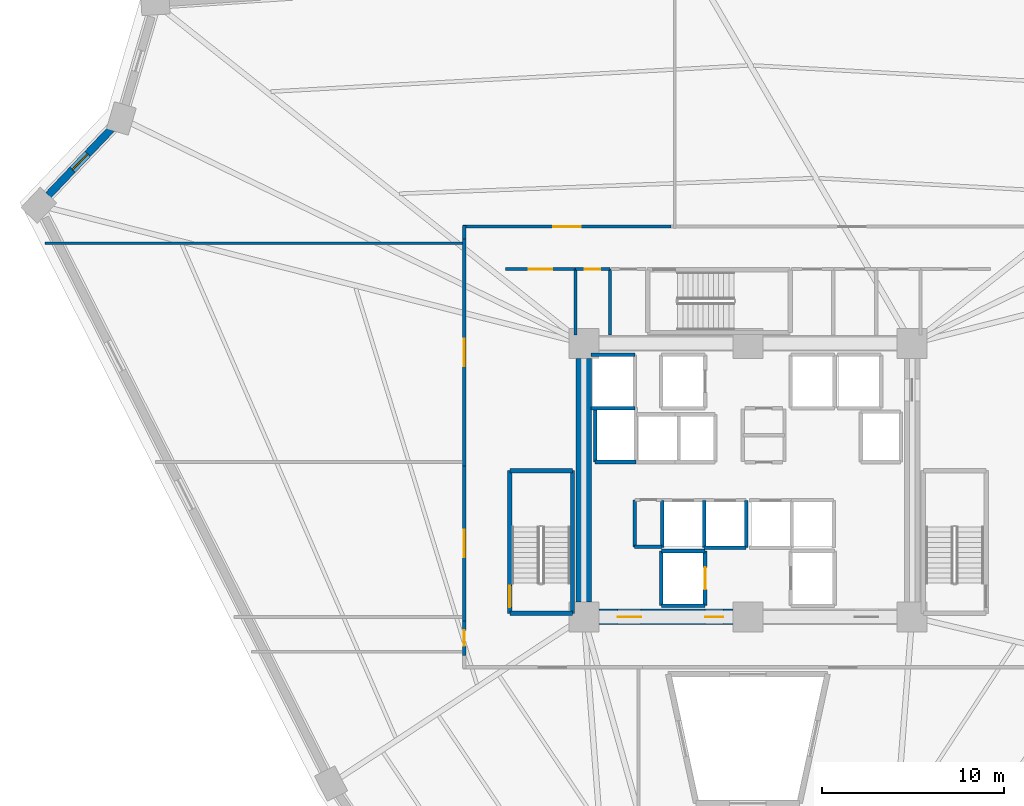
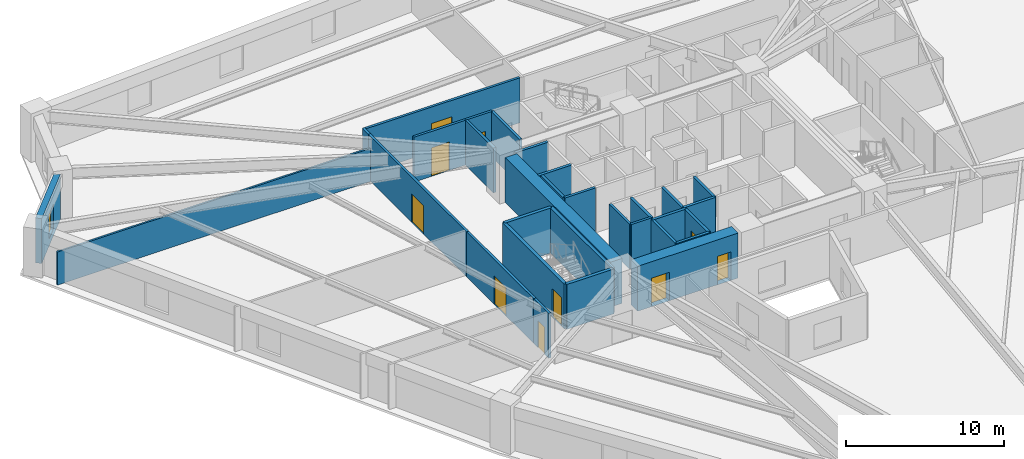
# One storey, part 4 of 8: 31 walls, 10 doors, 1 window, 11 openings.
"""IFC4 building model written with IfcOpenShell, lengths in metres."""

from ifc_helpers import new_model, si_unit, direction, frame, frame_2d, origin, place, context, subcontext, project, spatial, rectangle, extrude, source, transform, mapped, material, layer, layer_set, type_object, element, fill, save


model = new_model("IFC4")

# Units and contexts
model_context = context("Model", 3, precision=1e-05, world=origin(), true_north=direction((0.0, 1.0)))
body_context = subcontext(model_context, "Body", "Model", "MODEL_VIEW")
ifc_project = project(units=[si_unit("LENGTHUNIT", "METRE"), si_unit("AREAUNIT", "SQUARE_METRE"), si_unit("VOLUMEUNIT", "CUBIC_METRE"), si_unit("PLANEANGLEUNIT", "RADIAN"), si_unit("MASSUNIT", "GRAM", prefix="KILO")], contexts=[model_context])

# Site, building, storey
site_placement = place(None, origin())
site = spatial("IfcSite", under=ifc_project, at=site_placement, CompositionType="ELEMENT")
building_placement = place(site_placement, origin())
building = spatial("IfcBuilding", under=site, at=building_placement, Name="Liaohun Quay Tower", CompositionType="ELEMENT")
storey_placement = place(building_placement, frame((0.0, 0.0, 43.5)))
storey = spatial("IfcBuildingStorey", under=building, at=storey_placement, Name="L11", CompositionType="ELEMENT", Elevation=43.5)

# Wall, openings, doors
ifc_material_1 = material(Name="Concrete C60", Category="concrete")
ifc_layer_1 = layer(ifc_material_1, 0.85009765625, Name="Concrete C60", Category="concrete")
ifc_layer_set_1 = layer_set([ifc_layer_1], Name="Concrete C60")
wall_type_1 = type_object("IfcWallType", Name="WAL-COR-Z1", PredefinedType="SHEAR", material=ifc_layer_set_1)
wall_1_placement = place(storey_placement, frame((59.175048828125, 46.5, 0.0), z_axis=(0.0, 0.0, 1.0), x_axis=(-1.0, 0.0, 0.0)))
wall_1 = element("IfcWall", 1, at=wall_1_placement, inside=storey, type_object=wall_type_1, Name="L11 Central Core Shear Wall S-W", PredefinedType="SHEAR", context=body_context, shape_type="SweptSolid", body=[
    extrude(rectangle(XDim=7.35009765625, YDim=0.85009765625, at=frame_2d((3.675048828125, 0.0))), origin(), (0.0, 0.0, 1.0), 3.469970703125),
])
shared_shape_1 = source(origin(), body_context, "Body", "SweptSolid", [
    extrude(rectangle(XDim=1.300048828125, YDim=2.199951171875, at=frame_2d((0.64990234375, 1.10009765625))), frame((0.0, 0.43505859375, 0.0), z_axis=(0.0, -1.0, 0.0), x_axis=(1.0, 0.0, 0.0)), (0.0, 0.0, 1.0), 0.8701171875),
])
opening_1_placement = place(wall_1_placement, frame((5.02490234375, 0.0, 0.0)))
opening_1 = element("IfcOpeningElement", 2, at=opening_1_placement, cuts=wall_1, Name="Opening FD1", PredefinedType="OPENING", context=body_context, shape_type="MappedRepresentation", body=[
    mapped(shared_shape_1, transform((0.0, 0.0, 0.0), x_axis=(1.0, 0.0, 0.0), y_axis=(0.0, 1.0, 0.0), z_axis=(0.0, 0.0, 1.0), scale=1.0)),
])
shared_shape_2 = source(origin(), body_context, "Body", "SweptSolid", [
    extrude(rectangle(XDim=1.0, YDim=2.199951171875, at=frame_2d((0.5, 1.10009765625))), frame((0.0, 0.43505859375, 0.0), z_axis=(0.0, -1.0, 0.0), x_axis=(1.0, 0.0, 0.0)), (0.0, 0.0, 1.0), 0.8701171875),
])
opening_2_placement = place(wall_1_placement, frame((0.52490234375, 0.0, 0.0)))
opening_2 = element("IfcOpeningElement", 3, at=opening_2_placement, cuts=wall_1, Name="Opening FD2", PredefinedType="OPENING", context=body_context, shape_type="MappedRepresentation", body=[
    mapped(shared_shape_2, transform((0.0, 0.0, 0.0), x_axis=(1.0, 0.0, 0.0), y_axis=(0.0, 1.0, 0.0), z_axis=(0.0, 0.0, 1.0), scale=1.0)),
])
ifc_material_2 = material(Name="Galvanised steel smokeproof fire door", Category="steel")
door_type_1 = type_object("IfcDoorType", Name="DOR-FFL-1300", OperationType="NOTDEFINED", PredefinedType="DOOR", material=ifc_material_2)
shared_shape_3 = source(origin(), body_context, "Body", "SweptSolid", [
    extrude(rectangle(XDim=1.300048828125, YDim=2.199951171875, at=frame_2d((0.64990234375, 1.10009765625))), frame((0.0, 0.02490234375, 0.0), z_axis=(0.0, -1.0, 0.0), x_axis=(1.0, 0.0, 0.0)), (0.0, 0.0, 1.0), 0.050048828125),
])
door_1_placement = place(opening_1_placement, origin())
door_1 = element("IfcDoor", 4, at=door_1_placement, inside=storey, type_object=door_type_1, Name="L11 West Core Lift Lobby Smokeproof Door", OperationType="SINGLE_SWING_RIGHT", OverallHeight=2.199951171875, OverallWidth=1.300048828125, PredefinedType="DOOR", context=body_context, shape_type="MappedRepresentation", body=[
    mapped(shared_shape_3, transform((0.0, 0.0, 0.0), x_axis=(1.0, 0.0, 0.0), y_axis=(0.0, 1.0, 0.0), z_axis=(0.0, 0.0, 1.0), scale=1.0)),
])
fill(opening_1, door_1)
ifc_material_3 = material(Name="Galvanised steel smokeproof lobby fire door", Category="steel")
door_type_2 = type_object("IfcDoorType", Name="DOR-FFL-1000", OperationType="NOTDEFINED", PredefinedType="DOOR", material=ifc_material_3)
shared_shape_4 = source(origin(), body_context, "Body", "SweptSolid", [
    extrude(rectangle(XDim=1.0, YDim=2.199951171875, at=frame_2d((0.5, 1.10009765625))), frame((0.0, 0.02490234375, 0.0), z_axis=(0.0, -1.0, 0.0), x_axis=(1.0, 0.0, 0.0)), (0.0, 0.0, 1.0), 0.050048828125),
])
door_2_placement = place(opening_2_placement, origin())
door_2 = element("IfcDoor", 5, at=door_2_placement, inside=storey, type_object=door_type_2, Name="L11 South Firefighting Lobby Smokeproof Door", OperationType="SINGLE_SWING_LEFT", OverallHeight=2.199951171875, OverallWidth=1.0, PredefinedType="DOOR", context=body_context, shape_type="MappedRepresentation", body=[
    mapped(shared_shape_4, transform((0.0, 0.0, 0.0), x_axis=(1.0, 0.0, 0.0), y_axis=(0.0, 1.0, 0.0), z_axis=(0.0, 0.0, 1.0), scale=1.0)),
])
fill(opening_2, door_2)

# Wall
wall_2_placement = place(storey_placement, frame((51.0, 47.324951171875, 0.0), z_axis=(0.0, 0.0, 1.0), x_axis=(0.0, 1.0, 0.0)))
element("IfcWall", 6, at=wall_2_placement, inside=storey, type_object=wall_type_1, Name="L11 Central Core Shear Wall W", PredefinedType="SHEAR", context=body_context, shape_type="SweptSolid", body=[
    extrude(rectangle(XDim=13.35009765625, YDim=0.85009765625, at=frame_2d((6.675048828125, 0.0))), origin(), (0.0, 0.0, 1.0), 3.469970703125),
])

# Wall, opening, window
ifc_material_4 = material(Name="Precast concrete C50 insulated sandwich", Category="concrete")
ifc_layer_2 = layer(ifc_material_4, 0.419921875, Name="Precast concrete C50 insulated sandwich", Category="concrete")
ifc_layer_set_2 = layer_set([ifc_layer_2], Name="Precast concrete C50 insulated sandwich")
wall_type_2 = type_object("IfcWallType", Name="WAL-EXT-Z12", PredefinedType="SOLIDWALL", material=ifc_layer_set_2)
wall_3_placement = place(storey_placement, frame((25.113037109375, 73.283935546875, 0.0), z_axis=(0.0, 0.0, 1.0), x_axis=(-0.689357621712, -0.72442119612, 0.0)))
wall_3 = element("IfcWall", 7, at=wall_3_placement, inside=storey, type_object=wall_type_2, Name="L11 Brutalist Precast Pier Wall 09", PredefinedType="SOLIDWALL", context=body_context, shape_type="SweptSolid", body=[
    extrude(rectangle(XDim=5.041015625, YDim=0.419921875, at=frame_2d((2.5205078125, 0.0))), origin(), (0.0, 0.0, 1.0), 3.469970703125),
])
shared_shape_5 = source(origin(), body_context, "Body", "SweptSolid", [
    extrude(rectangle(XDim=1.199951171875, YDim=1.89990234375, at=frame_2d((0.60009765625, 0.949951171875))), frame((0.0, 0.219970703125, 0.0), z_axis=(0.0, -1.0, 0.0), x_axis=(1.0, 0.0, 0.0)), (0.0, 0.0, 1.0), 0.43994140625),
])
opening_3_placement = place(wall_3_placement, frame((1.9208984375, 0.0, 0.550048828125)))
opening_3 = element("IfcOpeningElement", 8, at=opening_3_placement, cuts=wall_3, Name="Opening W05", PredefinedType="OPENING", context=body_context, shape_type="MappedRepresentation", body=[
    mapped(shared_shape_5, transform((0.0, 0.0, 0.0), x_axis=(1.0, 0.0, 0.0), y_axis=(0.0, 1.0, 0.0), z_axis=(0.0, 0.0, 1.0), scale=1.0)),
])
ifc_material_5 = material(Name="Triple Low-E corner notch glazing", Category="glass")
window_type = type_object("IfcWindowType", Name="WIN-NOTCH", PartitioningType="SINGLE_PANEL", PredefinedType="WINDOW", material=ifc_material_5)
shared_shape_6 = source(origin(), body_context, "Body", "SweptSolid", [
    extrude(rectangle(XDim=1.199951171875, YDim=1.89990234375, at=frame_2d((0.60009765625, 0.949951171875))), frame((0.0, 0.030029296875, 0.0), z_axis=(0.0, -1.0, 0.0), x_axis=(1.0, 0.0, 0.0)), (0.0, 0.0, 1.0), 0.06005859375),
])
window_placement = place(opening_3_placement, origin())
window = element("IfcWindow", 9, at=window_placement, inside=storey, type_object=window_type, Name="L11 Corner Notch Window W05-09", OverallHeight=1.89990234375, OverallWidth=1.199951171875, PartitioningType="SINGLE_PANEL", PredefinedType="WINDOW", context=body_context, shape_type="MappedRepresentation", body=[
    mapped(shared_shape_6, transform((0.0, 0.0, 0.0), x_axis=(1.0, 0.0, 0.0), y_axis=(0.0, 1.0, 0.0), z_axis=(0.0, 0.0, 1.0), scale=1.0)),
])
fill(opening_3, window)

# Wall, opening, door
ifc_material_6 = material(Name="Autoclaved aerated concrete blockwork", Category="masonry")
ifc_layer_3 = layer(ifc_material_6, 0.179931640625, Name="Autoclaved aerated concrete blockwork", Category="masonry")
ifc_layer_set_3 = layer_set([ifc_layer_3], Name="Autoclaved aerated concrete blockwork")
wall_type_3 = type_object("IfcWallType", Name="WAL-PRT-COR", PredefinedType="PARTITIONING", material=ifc_layer_set_3)
wall_4_placement = place(storey_placement, frame((50.5400390625, 65.580078125, 0.0), z_axis=(0.0, 0.0, 1.0), x_axis=(1.0, 0.0, 0.0)))
wall_4 = element("IfcWall", 10, at=wall_4_placement, inside=storey, type_object=wall_type_3, Name="L11 Interior Partition Wall 007", PredefinedType="PARTITIONING", context=body_context, shape_type="SweptSolid", body=[
    extrude(rectangle(XDim=1.89990234375, YDim=0.179931640625, at=frame_2d((0.949951171875, 0.0))), origin(), (0.0, 0.0, 1.0), 3.469970703125),
])
shared_shape_7 = source(origin(), body_context, "Body", "SweptSolid", [
    extrude(rectangle(XDim=0.85009765625, YDim=2.10009765625, at=frame_2d((0.425048828125, 1.050048828125))), frame((0.0, 0.099853515625, 0.0), z_axis=(0.0, -1.0, 0.0), x_axis=(1.0, 0.0, 0.0)), (0.0, 0.0, 1.0), 0.199951171875),
])
opening_4_placement = place(wall_4_placement, frame((0.52490234375, 0.0, 0.0)))
opening_4 = element("IfcOpeningElement", 11, at=opening_4_placement, cuts=wall_4, Name="Opening AD1", PredefinedType="OPENING", context=body_context, shape_type="MappedRepresentation", body=[
    mapped(shared_shape_7, transform((0.0, 0.0, 0.0), x_axis=(1.0, 0.0, 0.0), y_axis=(0.0, 1.0, 0.0), z_axis=(0.0, 0.0, 1.0), scale=1.0)),
])
ifc_material_7 = material(Name="Steel riser inspection fire door", Category="steel")
door_type_3 = type_object("IfcDoorType", Name="DOR-SHF-850", OperationType="NOTDEFINED", PredefinedType="DOOR", material=ifc_material_7)
shared_shape_8 = source(origin(), body_context, "Body", "SweptSolid", [
    extrude(rectangle(XDim=0.85009765625, YDim=2.10009765625, at=frame_2d((0.425048828125, 1.050048828125))), frame((0.0, 0.02490234375, 0.0), z_axis=(0.0, -1.0, 0.0), x_axis=(1.0, 0.0, 0.0)), (0.0, 0.0, 1.0), 0.050048828125),
])
door_3_placement = place(opening_4_placement, origin())
door_3 = element("IfcDoor", 12, at=door_3_placement, inside=storey, type_object=door_type_3, Name="L11 North-West Riser Closet Door", OperationType="SINGLE_SWING_RIGHT", OverallHeight=2.10009765625, OverallWidth=0.85009765625, PredefinedType="DOOR", context=body_context, shape_type="MappedRepresentation", body=[
    mapped(shared_shape_8, transform((0.0, 0.0, 0.0), x_axis=(1.0, 0.0, 0.0), y_axis=(0.0, 1.0, 0.0), z_axis=(0.0, 0.0, 1.0), scale=1.0)),
])
fill(opening_4, door_3)

wall_5_placement = place(storey_placement, frame((46.699951171875, 65.580078125, 0.0), z_axis=(0.0, 0.0, 1.0), x_axis=(1.0, 0.0, 0.0)))
wall_5 = element("IfcWall", 13, at=wall_5_placement, inside=storey, type_object=wall_type_3, Name="L11 Interior Partition Wall 012", PredefinedType="PARTITIONING", context=body_context, shape_type="SweptSolid", body=[
    extrude(rectangle(XDim=3.840087890625, YDim=0.179931640625, at=frame_2d((1.919921875, 0.0))), origin(), (0.0, 0.0, 1.0), 3.469970703125),
])
shared_shape_9 = source(origin(), body_context, "Body", "SweptSolid", [
    extrude(rectangle(XDim=1.300048828125, YDim=2.199951171875, at=frame_2d((0.64990234375, 1.10009765625))), frame((0.0, 0.099853515625, 0.0), z_axis=(0.0, -1.0, 0.0), x_axis=(1.0, 0.0, 0.0)), (0.0, 0.0, 1.0), 0.199951171875),
])
opening_5_placement = place(wall_5_placement, frame((1.27001953125, 0.0, 0.0)))
opening_5 = element("IfcOpeningElement", 14, at=opening_5_placement, cuts=wall_5, Name="Opening FD1", PredefinedType="OPENING", context=body_context, shape_type="MappedRepresentation", body=[
    mapped(shared_shape_9, transform((0.0, 0.0, 0.0), x_axis=(1.0, 0.0, 0.0), y_axis=(0.0, 1.0, 0.0), z_axis=(0.0, 0.0, 1.0), scale=1.0)),
])
door_4_placement = place(opening_5_placement, origin())
door_4 = element("IfcDoor", 15, at=door_4_placement, inside=storey, type_object=door_type_1, Name="L11 West Core Vestibule Door", OperationType="SINGLE_SWING_LEFT", OverallHeight=2.199951171875, OverallWidth=1.300048828125, PredefinedType="DOOR", context=body_context, shape_type="MappedRepresentation", body=[
    mapped(shared_shape_3, transform((0.0, 0.0, 0.0), x_axis=(1.0, 0.0, 0.0), y_axis=(0.0, 1.0, 0.0), z_axis=(0.0, 0.0, 1.0), scale=1.0)),
])
fill(opening_5, door_4)

wall_6_placement = place(storey_placement, frame((44.3701171875, 67.909912109375, 0.0), z_axis=(0.0, 0.0, 1.0), x_axis=(1.0, 0.0, 0.0)))
wall_6 = element("IfcWall", 16, at=wall_6_placement, inside=storey, type_object=wall_type_3, Name="L11 Interior Partition Wall 016", PredefinedType="PARTITIONING", context=body_context, shape_type="SweptSolid", body=[
    extrude(rectangle(XDim=11.414794921875, YDim=0.179931640625, at=frame_2d((5.70751953125, 0.0))), origin(), (0.0, 0.0, 1.0), 3.469970703125),
])
shared_shape_10 = source(origin(), body_context, "Body", "SweptSolid", [
    extrude(rectangle(XDim=1.5, YDim=2.199951171875, at=frame_2d((0.75, 1.10009765625))), frame((0.0, 0.099853515625, 0.0), z_axis=(0.0, -1.0, 0.0), x_axis=(1.0, 0.0, 0.0)), (0.0, 0.0, 1.0), 0.199951171875),
])
opening_6_placement = place(wall_6_placement, frame((4.95703125, 0.0, 0.0)))
opening_6 = element("IfcOpeningElement", 17, at=opening_6_placement, cuts=wall_6, Name="Opening OD2", PredefinedType="OPENING", context=body_context, shape_type="MappedRepresentation", body=[
    mapped(shared_shape_10, transform((0.0, 0.0, 0.0), x_axis=(1.0, 0.0, 0.0), y_axis=(0.0, 1.0, 0.0), z_axis=(0.0, 0.0, 1.0), scale=1.0)),
])
ifc_material_8 = material(Name="Acoustic oak veneer double door")
door_type_4 = type_object("IfcDoorType", Name="DOR-OFF-1500", OperationType="DOUBLE_DOOR_SINGLE_SWING", PredefinedType="DOOR", material=ifc_material_8)
shared_shape_11 = source(origin(), body_context, "Body", "SweptSolid", [
    extrude(rectangle(XDim=1.5, YDim=2.199951171875, at=frame_2d((0.75, 1.10009765625))), frame((0.0, 0.02490234375, 0.0), z_axis=(0.0, -1.0, 0.0), x_axis=(1.0, 0.0, 0.0)), (0.0, 0.0, 1.0), 0.050048828125),
])
door_5_placement = place(opening_6_placement, origin())
door_5 = element("IfcDoor", 18, at=door_5_placement, inside=storey, type_object=door_type_4, Name="L11 Architectural Design Studio 03 Door", OperationType="DOUBLE_DOOR_SINGLE_SWING", OverallHeight=2.199951171875, OverallWidth=1.5, PredefinedType="DOOR", context=body_context, shape_type="MappedRepresentation", body=[
    mapped(shared_shape_11, transform((0.0, 0.0, 0.0), x_axis=(1.0, 0.0, 0.0), y_axis=(0.0, 1.0, 0.0), z_axis=(0.0, 0.0, 1.0), scale=1.0)),
])
fill(opening_6, door_5)

wall_7_placement = place(storey_placement, frame((44.43994140625, 54.784912109375, 0.0), z_axis=(0.0, 0.0, 1.0), x_axis=(0.0, 1.0, 0.0)))
wall_7 = element("IfcWall", 19, at=wall_7_placement, inside=storey, type_object=wall_type_3, Name="L11 Interior Partition Wall 017", PredefinedType="PARTITIONING", context=body_context, shape_type="SweptSolid", body=[
    extrude(rectangle(XDim=12.43017578125, YDim=0.179931640625, at=frame_2d((6.215087890625, 0.0))), origin(), (0.0, 0.0, 1.0), 3.469970703125),
])
opening_7_placement = place(wall_7_placement, frame((5.465087890625, 0.0, 0.0)))
opening_7 = element("IfcOpeningElement", 20, at=opening_7_placement, cuts=wall_7, Name="Opening OD2", PredefinedType="OPENING", context=body_context, shape_type="MappedRepresentation", body=[
    mapped(shared_shape_10, transform((0.0, 0.0, 0.0), x_axis=(1.0, 0.0, 0.0), y_axis=(0.0, 1.0, 0.0), z_axis=(0.0, 0.0, 1.0), scale=1.0)),
])
door_6_placement = place(opening_7_placement, origin())
door_6 = element("IfcDoor", 21, at=door_6_placement, inside=storey, type_object=door_type_4, Name="L11 Project Collaboration Studio 04 Door", OperationType="DOUBLE_DOOR_SINGLE_SWING", OverallHeight=2.199951171875, OverallWidth=1.5, PredefinedType="DOOR", context=body_context, shape_type="MappedRepresentation", body=[
    mapped(shared_shape_11, transform((0.0, 0.0, 0.0), x_axis=(1.0, 0.0, 0.0), y_axis=(0.0, 1.0, 0.0), z_axis=(0.0, 0.0, 1.0), scale=1.0)),
])
fill(opening_7, door_6)

wall_8_placement = place(storey_placement, frame((44.43994140625, 46.284912109375, 0.0), z_axis=(0.0, 0.0, 1.0), x_axis=(0.0, 1.0, 0.0)))
wall_8 = element("IfcWall", 22, at=wall_8_placement, inside=storey, type_object=wall_type_3, Name="L11 Interior Partition Wall 018", PredefinedType="PARTITIONING", context=body_context, shape_type="SweptSolid", body=[
    extrude(rectangle(XDim=8.5, YDim=0.179931640625, at=frame_2d((4.25, 0.0))), origin(), (0.0, 0.0, 1.0), 3.469970703125),
])
opening_8_placement = place(wall_8_placement, frame((3.5, 0.0, 0.0)))
opening_8 = element("IfcOpeningElement", 23, at=opening_8_placement, cuts=wall_8, Name="Opening OD2", PredefinedType="OPENING", context=body_context, shape_type="MappedRepresentation", body=[
    mapped(shared_shape_10, transform((0.0, 0.0, 0.0), x_axis=(1.0, 0.0, 0.0), y_axis=(0.0, 1.0, 0.0), z_axis=(0.0, 0.0, 1.0), scale=1.0)),
])
door_7_placement = place(opening_8_placement, origin())
door_7 = element("IfcDoor", 24, at=door_7_placement, inside=storey, type_object=door_type_4, Name="L11 Staff Daycare Nursery 05 Door", OperationType="DOUBLE_DOOR_SINGLE_SWING", OverallHeight=2.199951171875, OverallWidth=1.5, PredefinedType="DOOR", context=body_context, shape_type="MappedRepresentation", body=[
    mapped(shared_shape_11, transform((0.0, 0.0, 0.0), x_axis=(1.0, 0.0, 0.0), y_axis=(0.0, 1.0, 0.0), z_axis=(0.0, 0.0, 1.0), scale=1.0)),
])
fill(opening_8, door_7)

wall_9_placement = place(storey_placement, frame((44.43994140625, 44.385009765625, 0.0), z_axis=(0.0, 0.0, 1.0), x_axis=(0.0, 1.0, 0.0)))
wall_9 = element("IfcWall", 25, at=wall_9_placement, inside=storey, type_object=wall_type_3, Name="L11 Interior Partition Wall 019", PredefinedType="PARTITIONING", context=body_context, shape_type="SweptSolid", body=[
    extrude(rectangle(XDim=1.89990234375, YDim=0.179931640625, at=frame_2d((0.949951171875, 0.0))), origin(), (0.0, 0.0, 1.0), 3.469970703125),
])
opening_9_placement = place(wall_9_placement, frame((0.52490234375, 0.0, 0.0)))
opening_9 = element("IfcOpeningElement", 26, at=opening_9_placement, cuts=wall_9, Name="Opening AD1", PredefinedType="OPENING", context=body_context, shape_type="MappedRepresentation", body=[
    mapped(shared_shape_7, transform((0.0, 0.0, 0.0), x_axis=(1.0, 0.0, 0.0), y_axis=(0.0, 1.0, 0.0), z_axis=(0.0, 0.0, 1.0), scale=1.0)),
])
door_8_placement = place(opening_9_placement, origin())
door_8 = element("IfcDoor", 27, at=door_8_placement, inside=storey, type_object=door_type_3, Name="L11 Staff Tea Kitchen and Pantry 06 Door", OperationType="SINGLE_SWING_RIGHT", OverallHeight=2.10009765625, OverallWidth=0.85009765625, PredefinedType="DOOR", context=body_context, shape_type="MappedRepresentation", body=[
    mapped(shared_shape_8, transform((0.0, 0.0, 0.0), x_axis=(1.0, 0.0, 0.0), y_axis=(0.0, 1.0, 0.0), z_axis=(0.0, 0.0, 1.0), scale=1.0)),
])
fill(opening_9, door_8)

# Walls
wall_10_placement = place(storey_placement, frame((53.7900390625, 50.35009765625, 0.0), z_axis=(0.0, 0.0, 1.0), x_axis=(0.0, 1.0, 0.0)))
element("IfcWall", 28, at=wall_10_placement, inside=storey, type_object=wall_type_3, Name="L11 Interior Partition Wall 026", PredefinedType="PARTITIONING", context=body_context, shape_type="SweptSolid", body=[
    extrude(rectangle(XDim=2.56982421875, YDim=0.179931640625, at=frame_2d((1.284912109375, 0.0))), origin(), (0.0, 0.0, 1.0), 3.469970703125),
])
wall_11_placement = place(storey_placement, frame((53.7900390625, 50.35009765625, 0.0), z_axis=(0.0, 0.0, 1.0), x_axis=(1.0, 0.0, 0.0)))
element("IfcWall", 29, at=wall_11_placement, inside=storey, type_object=wall_type_3, Name="L11 Interior Partition Wall 027", PredefinedType="PARTITIONING", context=body_context, shape_type="SweptSolid", body=[
    extrude(rectangle(XDim=1.489990234375, YDim=0.179931640625, at=frame_2d((0.7451171875, 0.0))), origin(), (0.0, 0.0, 1.0), 3.469970703125),
])
for number, where, z_axis, x_axis, name in (
    (30, (50.5400390625, 61.949951171875, 0.0), (0.0, 0.0, 1.0), (0.0, 1.0, 0.0), "L11 Interior Partition Wall 033"),
    (31, (52.43994140625, 61.949951171875, 0.0), (0.0, 0.0, 1.0), (0.0, 1.0, 0.0), "L11 Interior Partition Wall 034"),
):
    element("IfcWall", number, at=place(storey_placement, frame(where, z_axis=z_axis, x_axis=x_axis)), inside=storey, type_object=wall_type_3, Name=name, PredefinedType="PARTITIONING", context=body_context, shape_type="SweptSolid", body=[
        extrude(rectangle(XDim=3.630126953125, YDim=0.179931640625, at=frame_2d((1.81494140625, 0.0))), origin(), (0.0, 0.0, 1.0), 3.469970703125),
    ])
wall_12_placement = place(storey_placement, frame((44.43994140625, 67.215087890625, 0.0), z_axis=(0.0, 0.0, 1.0), x_axis=(0.0, 1.0, 0.0)))
element("IfcWall", 32, at=wall_12_placement, inside=storey, type_object=wall_type_3, Name="L11 Interior Partition Wall 040", PredefinedType="PARTITIONING", context=body_context, shape_type="SweptSolid", body=[
    extrude(rectangle(XDim=0.764892578125, YDim=0.179931640625, at=frame_2d((0.38232421875, 0.0))), origin(), (0.0, 0.0, 1.0), 3.469970703125),
])
ifc_material_9 = material(Name="Gypsum board on twin steel studs", Category="steel")
ifc_layer_4 = layer(ifc_material_9, 0.139892578125, Name="Gypsum board on twin steel studs", Category="steel")
ifc_layer_set_4 = layer_set([ifc_layer_4], Name="Gypsum board on twin steel studs")
wall_type_4 = type_object("IfcWallType", Name="WAL-PRT-OFF", PredefinedType="PARTITIONING", material=ifc_layer_set_4)
wall_13_placement = place(storey_placement, frame((44.5400390625, 67.0, 0.0), z_axis=(0.0, 0.0, 1.0), x_axis=(-1.0, 0.0, 0.0)))
element("IfcWall", 33, at=wall_13_placement, inside=storey, type_object=wall_type_4, Name="L11 Interior Partition Wall 046", PredefinedType="PARTITIONING", context=body_context, shape_type="SweptSolid", body=[
    extrude(rectangle(XDim=23.083984375, YDim=0.139892578125, at=frame_2d((11.5419921875, 0.0))), origin(), (0.0, 0.0, 1.0), 2.554931640625),
])
ifc_material_10 = material(Name="Concrete C50", Category="concrete")
ifc_layer_5 = layer(ifc_material_10, 0.239990234375, Name="Concrete C50", Category="concrete")
ifc_layer_set_5 = layer_set([ifc_layer_5], Name="Concrete C50")
wall_type_5 = type_object("IfcWallType", Name="WAL-SHF-200", PredefinedType="SOLIDWALL", material=ifc_layer_set_5)
wall_14_placement = place(storey_placement, frame((46.93994140625, 46.699951171875, 0.0), z_axis=(0.0, 0.0, 1.0), x_axis=(1.0, 0.0, 0.0)))
element("IfcWall", 34, at=wall_14_placement, inside=storey, type_object=wall_type_5, Name="L11 Stairwell ST-1 Structural Core Wall S", PredefinedType="SOLIDWALL", context=body_context, shape_type="SweptSolid", body=[
    extrude(rectangle(XDim=3.43994140625, YDim=0.239990234375, at=frame_2d((1.719970703125, 0.0))), origin(), (0.0, 0.0, 1.0), 3.469970703125),
])
wall_15_placement = place(storey_placement, frame((50.3798828125, 46.699951171875, 0.0), z_axis=(0.0, 0.0, 1.0), x_axis=(0.0, 1.0, 0.0)))
element("IfcWall", 35, at=wall_15_placement, inside=storey, type_object=wall_type_5, Name="L11 Stairwell ST-1 Structural Core Wall E", PredefinedType="SOLIDWALL", context=body_context, shape_type="SweptSolid", body=[
    extrude(rectangle(XDim=7.820068359375, YDim=0.239990234375, at=frame_2d((3.91015625, 0.0))), origin(), (0.0, 0.0, 1.0), 3.469970703125),
])
wall_16_placement = place(storey_placement, frame((50.3798828125, 54.52001953125, 0.0), z_axis=(0.0, 0.0, 1.0), x_axis=(-1.0, 0.0, 0.0)))
element("IfcWall", 36, at=wall_16_placement, inside=storey, type_object=wall_type_5, Name="L11 Stairwell ST-1 Structural Core Wall N", PredefinedType="SOLIDWALL", context=body_context, shape_type="SweptSolid", body=[
    extrude(rectangle(XDim=3.43994140625, YDim=0.239990234375, at=frame_2d((1.719970703125, 0.0))), origin(), (0.0, 0.0, 1.0), 3.469970703125),
])

# Wall, opening, door
wall_17_placement = place(storey_placement, frame((46.93994140625, 54.52001953125, 0.0), z_axis=(0.0, 0.0, 1.0), x_axis=(0.0, -1.0, 0.0)))
wall_17 = element("IfcWall", 37, at=wall_17_placement, inside=storey, type_object=wall_type_5, Name="L11 Stairwell ST-1 Structural Core Wall W", PredefinedType="SOLIDWALL", context=body_context, shape_type="SweptSolid", body=[
    extrude(rectangle(XDim=7.820068359375, YDim=0.239990234375, at=frame_2d((3.91015625, 0.0))), origin(), (0.0, 0.0, 1.0), 3.469970703125),
])
shared_shape_12 = source(origin(), body_context, "Body", "SweptSolid", [
    extrude(rectangle(XDim=1.199951171875, YDim=2.199951171875, at=frame_2d((0.60009765625, 1.10009765625))), frame((0.0, 0.1298828125, 0.0), z_axis=(0.0, -1.0, 0.0), x_axis=(1.0, 0.0, 0.0)), (0.0, 0.0, 1.0), 0.260009765625),
])
opening_10_placement = place(wall_17_placement, frame((6.300048828125, 0.0, 0.0)))
opening_10 = element("IfcOpeningElement", 38, at=opening_10_placement, cuts=wall_17, Name="Opening SD1", PredefinedType="OPENING", context=body_context, shape_type="MappedRepresentation", body=[
    mapped(shared_shape_12, transform((0.0, 0.0, 0.0), x_axis=(1.0, 0.0, 0.0), y_axis=(0.0, 1.0, 0.0), z_axis=(0.0, 0.0, 1.0), scale=1.0)),
])
ifc_material_11 = material(Name="Galvanised steel fire door", Category="steel")
door_type_5 = type_object("IfcDoorType", Name="DOR-STR-1200", OperationType="NOTDEFINED", PredefinedType="DOOR", material=ifc_material_11)
shared_shape_13 = source(origin(), body_context, "Body", "SweptSolid", [
    extrude(rectangle(XDim=1.199951171875, YDim=2.199951171875, at=frame_2d((0.60009765625, 1.10009765625))), frame((0.0, 0.02490234375, 0.0), z_axis=(0.0, -1.0, 0.0), x_axis=(1.0, 0.0, 0.0)), (0.0, 0.0, 1.0), 0.050048828125),
])
door_9_placement = place(opening_10_placement, origin())
door_9 = element("IfcDoor", 39, at=door_9_placement, inside=storey, type_object=door_type_5, Name="L11 Protected Stair ST-1 Fire Door", OperationType="SINGLE_SWING_LEFT", OverallHeight=2.199951171875, OverallWidth=1.199951171875, PredefinedType="DOOR", context=body_context, shape_type="MappedRepresentation", body=[
    mapped(shared_shape_13, transform((0.0, 0.0, 0.0), x_axis=(1.0, 0.0, 0.0), y_axis=(0.0, 1.0, 0.0), z_axis=(0.0, 0.0, 1.0), scale=1.0)),
])
fill(opening_10, door_9)

# Wall
wall_18_placement = place(storey_placement, frame((55.25, 47.1201171875, 0.0), z_axis=(0.0, 0.0, 1.0), x_axis=(1.0, 0.0, 0.0)))
element("IfcWall", 40, at=wall_18_placement, inside=storey, type_object=wall_type_5, Name="L11 Lift FF-01 Hoistway Wall S", PredefinedType="SOLIDWALL", context=body_context, shape_type="SweptSolid", body=[
    extrude(rectangle(XDim=2.39990234375, YDim=0.199951171875, at=frame_2d((1.199951171875, 0.0))), origin(), (0.0, 0.0, 1.0), 3.469970703125),
])

# Wall, opening, door
wall_19_placement = place(storey_placement, frame((57.64990234375, 47.1201171875, 0.0), z_axis=(0.0, 0.0, 1.0), x_axis=(0.0, 1.0, 0.0)))
wall_19 = element("IfcWall", 41, at=wall_19_placement, inside=storey, type_object=wall_type_5, Name="L11 Lift FF-01 Hoistway Wall E", PredefinedType="SOLIDWALL", context=body_context, shape_type="SweptSolid", body=[
    extrude(rectangle(XDim=3.0, YDim=0.199951171875, at=frame_2d((1.5, 0.0))), origin(), (0.0, 0.0, 1.0), 3.469970703125),
])
shared_shape_14 = source(origin(), body_context, "Body", "SweptSolid", [
    extrude(rectangle(XDim=1.199951171875, YDim=2.300048828125, at=frame_2d((0.60009765625, 1.14990234375))), frame((0.0, 0.10986328125, 0.0), z_axis=(0.0, -1.0, 0.0), x_axis=(1.0, 0.0, 0.0)), (0.0, 0.0, 1.0), 0.219970703125),
])
opening_11_placement = place(wall_19_placement, frame((0.89990234375, 0.0, 0.0)))
opening_11 = element("IfcOpeningElement", 42, at=opening_11_placement, cuts=wall_19, Name="Opening LD2", PredefinedType="OPENING", context=body_context, shape_type="MappedRepresentation", body=[
    mapped(shared_shape_14, transform((0.0, 0.0, 0.0), x_axis=(1.0, 0.0, 0.0), y_axis=(0.0, 1.0, 0.0), z_axis=(0.0, 0.0, 1.0), scale=1.0)),
])
ifc_material_12 = material(Name="Brushed stainless steel stretcher landing door", Category="steel")
door_type_6 = type_object("IfcDoorType", Name="DOR-LFT-1200", OperationType="SLIDING_TO_LEFT", PredefinedType="DOOR", material=ifc_material_12)
shared_shape_15 = source(origin(), body_context, "Body", "SweptSolid", [
    extrude(rectangle(XDim=1.199951171875, YDim=2.300048828125, at=frame_2d((0.60009765625, 1.14990234375))), frame((0.0, 0.02490234375, 0.0), z_axis=(0.0, -1.0, 0.0), x_axis=(1.0, 0.0, 0.0)), (0.0, 0.0, 1.0), 0.050048828125),
])
door_10_placement = place(opening_11_placement, origin())
door_10 = element("IfcDoor", 43, at=door_10_placement, inside=storey, type_object=door_type_6, Name="L11 Lift FF-01 Sliding Landing Door", OperationType="SLIDING_TO_LEFT", OverallHeight=2.300048828125, OverallWidth=1.199951171875, PredefinedType="DOOR", context=body_context, shape_type="MappedRepresentation", body=[
    mapped(shared_shape_15, transform((0.0, 0.0, 0.0), x_axis=(1.0, 0.0, 0.0), y_axis=(0.0, 1.0, 0.0), z_axis=(0.0, 0.0, 1.0), scale=1.0)),
])
fill(opening_11, door_10)

# Walls
wall_20_placement = place(storey_placement, frame((57.64990234375, 50.1201171875, 0.0), z_axis=(0.0, 0.0, 1.0), x_axis=(-1.0, 0.0, 0.0)))
element("IfcWall", 44, at=wall_20_placement, inside=storey, type_object=wall_type_5, Name="L11 Lift FF-01 Hoistway Wall N", PredefinedType="SOLIDWALL", context=body_context, shape_type="SweptSolid", body=[
    extrude(rectangle(XDim=2.39990234375, YDim=0.199951171875, at=frame_2d((1.199951171875, 0.0))), origin(), (0.0, 0.0, 1.0), 3.469970703125),
])
wall_21_placement = place(storey_placement, frame((55.25, 50.1201171875, 0.0), z_axis=(0.0, 0.0, 1.0), x_axis=(0.0, -1.0, 0.0)))
element("IfcWall", 45, at=wall_21_placement, inside=storey, type_object=wall_type_5, Name="L11 Lift FF-01 Hoistway Wall W", PredefinedType="SOLIDWALL", context=body_context, shape_type="SweptSolid", body=[
    extrude(rectangle(XDim=3.0, YDim=0.199951171875, at=frame_2d((1.5, 0.0))), origin(), (0.0, 0.0, 1.0), 3.469970703125),
])
for number, where, z_axis, x_axis, name in (
    (46, (51.39990234375, 57.949951171875, 0.0), (0.0, 0.0, 1.0), (1.0, 0.0, 0.0), "L11 Lift SH-01 Hoistway Wall S"),
    (47, (53.800048828125, 60.8798828125, 0.0), (0.0, 0.0, 1.0), (-1.0, 0.0, 0.0), "L11 Lift SH-01 Hoistway Wall N"),
):
    element("IfcWall", number, at=place(storey_placement, frame(where, z_axis=z_axis, x_axis=x_axis)), inside=storey, type_object=wall_type_5, Name=name, PredefinedType="SOLIDWALL", context=body_context, shape_type="SweptSolid", body=[
        extrude(rectangle(XDim=2.400146484375, YDim=0.199951171875, at=frame_2d((1.2001953125, 0.0))), origin(), (0.0, 0.0, 1.0), 3.469970703125),
    ])
wall_22_placement = place(storey_placement, frame((51.6201171875, 55.0, 0.0), z_axis=(0.0, 0.0, 1.0), x_axis=(1.0, 0.0, 0.0)))
element("IfcWall", 48, at=wall_22_placement, inside=storey, type_object=wall_type_5, Name="L11 Lift SH-02 Hoistway Wall S", PredefinedType="SOLIDWALL", context=body_context, shape_type="SweptSolid", body=[
    extrude(rectangle(XDim=2.22998046875, YDim=0.199951171875, at=frame_2d((1.114990234375, 0.0))), origin(), (0.0, 0.0, 1.0), 3.469970703125),
])
wall_23_placement = place(storey_placement, frame((51.6201171875, 58.0, 0.0), z_axis=(0.0, 0.0, 1.0), x_axis=(0.0, -1.0, 0.0)))
element("IfcWall", 49, at=wall_23_placement, inside=storey, type_object=wall_type_5, Name="L11 Lift SH-02 Hoistway Wall W", PredefinedType="SOLIDWALL", context=body_context, shape_type="SweptSolid", body=[
    extrude(rectangle(XDim=3.0, YDim=0.199951171875, at=frame_2d((1.5, 0.0))), origin(), (0.0, 0.0, 1.0), 3.469970703125),
])
for number, where, z_axis, x_axis, name in (
    (50, (57.60009765625, 50.300048828125, 0.0), (0.0, 0.0, 1.0), (0.0, 1.0, 0.0), "L11 Lift PL-1A Hoistway Wall E"),
    (51, (55.300048828125, 52.89990234375, 0.0), (0.0, 0.0, 1.0), (0.0, -1.0, 0.0), "L11 Lift PL-1A Hoistway Wall W"),
):
    element("IfcWall", number, at=place(storey_placement, frame(where, z_axis=z_axis, x_axis=x_axis)), inside=storey, type_object=wall_type_5, Name=name, PredefinedType="SOLIDWALL", context=body_context, shape_type="SweptSolid", body=[
        extrude(rectangle(XDim=2.599853515625, YDim=0.199951171875, at=frame_2d((1.2998046875, 0.0))), origin(), (0.0, 0.0, 1.0), 3.469970703125),
    ])
wall_24_placement = place(storey_placement, frame((57.60009765625, 50.300048828125, 0.0), z_axis=(0.0, 0.0, 1.0), x_axis=(1.0, 0.0, 0.0)))
element("IfcWall", 52, at=wall_24_placement, inside=storey, type_object=wall_type_5, Name="L11 Lift PL-1B Hoistway Wall S", PredefinedType="SOLIDWALL", context=body_context, shape_type="SweptSolid", body=[
    extrude(rectangle(XDim=2.2998046875, YDim=0.199951171875, at=frame_2d((1.14990234375, 0.0))), origin(), (0.0, 0.0, 1.0), 3.469970703125),
])
wall_25_placement = place(storey_placement, frame((59.89990234375, 50.300048828125, 0.0), z_axis=(0.0, 0.0, 1.0), x_axis=(0.0, 1.0, 0.0)))
element("IfcWall", 53, at=wall_25_placement, inside=storey, type_object=wall_type_5, Name="L11 Lift PL-1B Hoistway Wall E", PredefinedType="SOLIDWALL", context=body_context, shape_type="SweptSolid", body=[
    extrude(rectangle(XDim=2.599853515625, YDim=0.199951171875, at=frame_2d((1.2998046875, 0.0))), origin(), (0.0, 0.0, 1.0), 3.469970703125),
])

save(model, "model.ifc")
